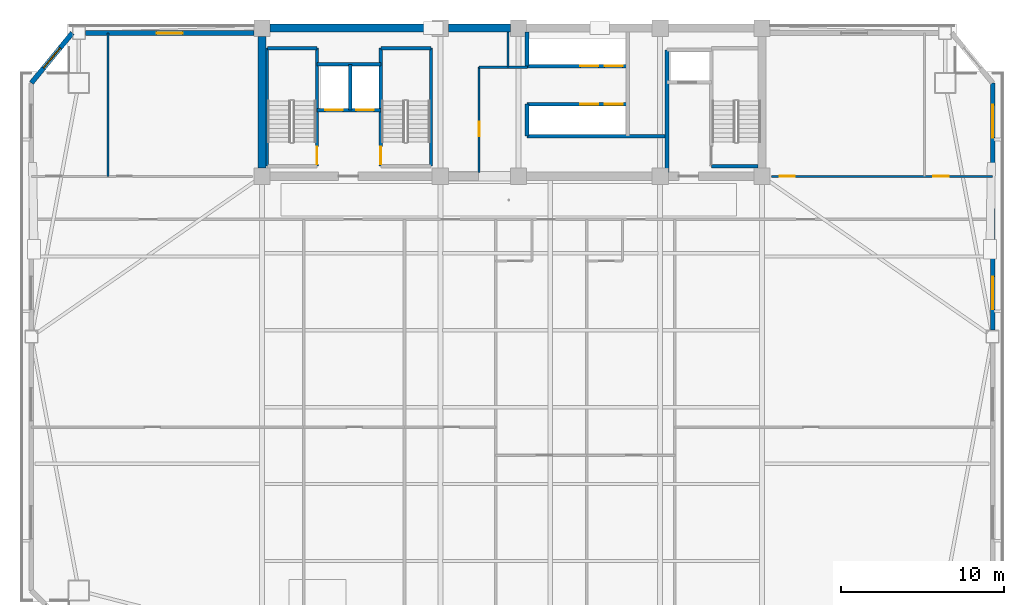
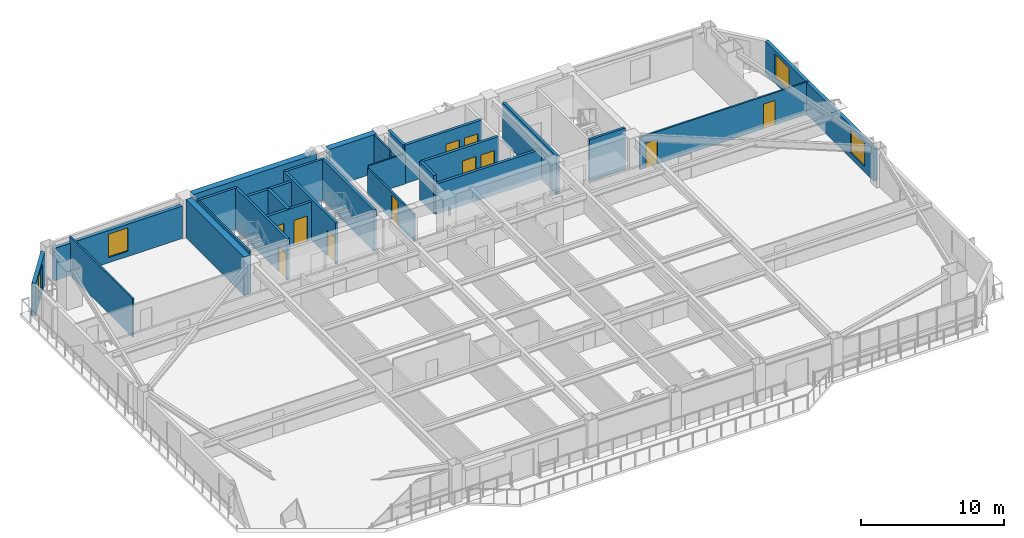
# One storey, part 9 of 16: 27 walls, 11 doors, 4 windows, 15 openings.
"""IFC4 building model written with IfcOpenShell, lengths in metres."""

import ifcopenshell
import ifcopenshell.guid

model = None  # the IFC model being written
_history = None  # IfcOwnerHistory: only IFC2X3 demands one
_inside = {}  # id of a spatial element -> (the spatial element, [elements in it])
_under = {}  # id of a project, library or spatial element -> (it, [spatial elements below it])
_declared = {}  # id of a project -> (the project, [libraries it declares])
_typed = {}  # id of a type object -> (the type object, [elements of that type])
_made_of = {}  # id of a material, layer set ... -> (it, [elements and type objects made of it])


def new_model(schema):
    """Start an empty IFC model of exactly this schema.

    Asked for "IFC4X3", IfcOpenShell would pick the latest addendum, in which some entities
    have other attributes; the version numbers below select the first issue.
    IFC2X3 requires an IfcOwnerHistory on every rooted entity: one is made here for all.
    """
    global model, _history
    if schema == "IFC4X3":
        model = ifcopenshell.file(schema_version=(4, 3, 0, 0))
    else:
        model = ifcopenshell.file(schema=schema)
    _inside.clear()
    _under.clear()
    _declared.clear()
    _typed.clear()
    _made_of.clear()
    _history = None
    if model.schema == "IFC2X3":
        org = make("IfcOrganization", Name="unknown")
        user = make(
            "IfcPersonAndOrganization",
            ThePerson=make("IfcPerson", FamilyName="unknown"),
            TheOrganization=org,
        )
        app = make(
            "IfcApplication",
            ApplicationDeveloper=org,
            Version="unknown",
            ApplicationFullName="unknown",
            ApplicationIdentifier="unknown",
        )
        _history = make(
            "IfcOwnerHistory",
            OwningUser=user,
            OwningApplication=app,
            ChangeAction="ADDED",
            CreationDate=0,
        )
    return model


def make(cls, **values):
    """One entity of the class cls with the attributes given. An attribute that is None is left unset."""
    return model.create_entity(
        cls, **{name: value for name, value in values.items() if value is not None}
    )


def rooted(cls, **values):
    """An entity with a GlobalId (a new one), such as an element, a storey or a relation."""
    return make(cls, GlobalId=ifcopenshell.guid.new(), OwnerHistory=_history, **values)


def si_unit(unit_type, name, prefix=None):
    """IfcSIUnit, for example si_unit("LENGTHUNIT", "METRE", prefix="MILLI")."""
    return make("IfcSIUnit", UnitType=unit_type, Prefix=prefix, Name=name)


def assignment(units):
    """IfcUnitAssignment: the units of a project."""
    return None if units is None else make("IfcUnitAssignment", Units=units)


def point(xyz):
    """IfcCartesianPoint."""
    return None if xyz is None else make("IfcCartesianPoint", Coordinates=xyz)


def direction(xyz):
    """IfcDirection."""
    return None if xyz is None else make("IfcDirection", DirectionRatios=xyz)


def frame(location, z_axis=None, x_axis=None):
    """IfcAxis2Placement3D, a coordinate frame: its origin and axes. An axis left out is left unset."""
    return make(
        "IfcAxis2Placement3D",
        Location=point(location),
        Axis=direction(z_axis),
        RefDirection=direction(x_axis),
    )


def frame_2d(location, x_axis=None):
    """IfcAxis2Placement2D, a coordinate frame in the plane: its origin and x axis."""
    return make(
        "IfcAxis2Placement2D", Location=point(location), RefDirection=direction(x_axis)
    )


def origin():
    """The frame at (0, 0, 0) with its axes left unset."""
    return frame((0.0, 0.0, 0.0))


def place(relative_to, where):
    """IfcLocalPlacement: puts the frame where relative to a parent placement (None: the world)."""
    return make(
        "IfcLocalPlacement", PlacementRelTo=relative_to, RelativePlacement=where
    )


def context(
    kind, dimensions, precision=None, world=None, true_north=None, identifier=None
):
    """IfcGeometricRepresentationContext, for example the 3D "Model" context."""
    return make(
        "IfcGeometricRepresentationContext",
        ContextIdentifier=identifier,
        ContextType=kind,
        CoordinateSpaceDimension=dimensions,
        Precision=precision,
        WorldCoordinateSystem=world,
        TrueNorth=true_north,
    )


def subcontext(parent, identifier, kind, view, scale=None):
    """IfcGeometricRepresentationSubContext, for example "Body" below "Model"."""
    return make(
        "IfcGeometricRepresentationSubContext",
        ContextIdentifier=identifier,
        ContextType=kind,
        ParentContext=parent,
        TargetScale=scale,
        TargetView=view,
    )


def project(units=None, contexts=None):
    """IfcProject with its units and contexts."""
    return rooted(
        "IfcProject",
        Name="project",
        RepresentationContexts=contexts,
        UnitsInContext=assignment(units),
    )


def spatial(cls, under=None, at=None, **own):
    """A site, building, storey or space (cls), placed at a placement, below another one or the project."""
    s = rooted(cls, ObjectPlacement=at, **own)
    if under is not None:
        _under.setdefault(under.id(), (under, []))[1].append(s)
    return s


def profile(cls, at=None, kind="AREA", **sizes):
    """A parametric profile (cls). Its sizes go by their IFC names, for example OverallWidth=200.0."""
    return make(cls, ProfileType=kind, Position=at, **sizes)


def rectangle(**sizes):
    """IfcRectangleProfileDef."""
    return profile("IfcRectangleProfileDef", **sizes)


def extrude(swept, where, along, depth):
    """IfcExtrudedAreaSolid: the profile swept, set in the frame where, extruded along a direction by depth."""
    return make(
        "IfcExtrudedAreaSolid",
        SweptArea=swept,
        Position=where,
        ExtrudedDirection=direction(along),
        Depth=depth,
    )


def shape(context_of_items, identifier, shape_type, items):
    """IfcShapeRepresentation: the items that make up one representation, for example the "Body"."""
    return make(
        "IfcShapeRepresentation",
        ContextOfItems=context_of_items,
        RepresentationIdentifier=identifier,
        RepresentationType=shape_type,
        Items=items,
    )


def source(mapping_origin, context_of_items, identifier, shape_type, items):
    """IfcRepresentationMap: a shape defined once, which mapped items show again and again."""
    return make(
        "IfcRepresentationMap",
        MappingOrigin=mapping_origin,
        MappedRepresentation=shape(context_of_items, identifier, shape_type, items),
    )


def transform(
    local_origin,
    x_axis=None,
    y_axis=None,
    z_axis=None,
    scale=None,
    scale2=None,
    scale3=None,
    uniform=True,
):
    """IfcCartesianTransformationOperator3D, or its non-uniform kind. x_axis, y_axis, z_axis: its Axis1, 2, 3."""
    if uniform:
        return make(
            "IfcCartesianTransformationOperator3D",
            Axis1=direction(x_axis),
            Axis2=direction(y_axis),
            LocalOrigin=point(local_origin),
            Scale=scale,
            Axis3=direction(z_axis),
        )
    return make(
        "IfcCartesianTransformationOperator3DnonUniform",
        Axis1=direction(x_axis),
        Axis2=direction(y_axis),
        LocalOrigin=point(local_origin),
        Scale=scale,
        Axis3=direction(z_axis),
        Scale2=scale2,
        Scale3=scale3,
    )


def mapped(mapping_source, mapping_target):
    """IfcMappedItem: shows the shape of a source again, moved by a transform."""
    return make(
        "IfcMappedItem", MappingSource=mapping_source, MappingTarget=mapping_target
    )


def material(Name=None, Category=None):
    """IfcMaterial."""
    return make("IfcMaterial", Name=Name, Category=Category)


def layer(
    of_material, thickness, ventilated=None, Name=None, Category=None, Priority=None
):
    """IfcMaterialLayer: one layer of a wall or slab, of a material (None: an air gap)."""
    return make(
        "IfcMaterialLayer",
        Material=of_material,
        LayerThickness=thickness,
        IsVentilated=ventilated,
        Name=Name,
        Category=Category,
        Priority=Priority,
    )


def layer_set(layers, Name=None):
    """IfcMaterialLayerSet."""
    return make("IfcMaterialLayerSet", MaterialLayers=layers, LayerSetName=Name)


def made_of(thing, what):
    """Note that an element or type object is made of a material, layer set ...; save() writes the relation."""
    if what is not None:
        _made_of.setdefault(what.id(), (what, []))[1].append(thing)
    return thing


def type_object(cls, material=None, **own):
    """A type object (cls), such as IfcWallType, which elements share."""
    return made_of(rooted(cls, **own), material)


def element(
    cls,
    number,
    at=None,
    inside=None,
    cuts=None,
    type_object=None,
    material=None,
    context=None,
    identifier="Body",
    shape_type=None,
    held_by="IfcProductDefinitionShape",
    body=None,
    shapes=None,
    **own,
):
    """One element of the class cls, such as IfcWall. Its Tag is "e" and its number.

    at: its placement. inside: the storey or other place that contains it. cuts: it is an
    opening in that element (IfcRelVoidsElement). A single representation is given by context,
    identifier, shape_type and body (its items); several are given by shapes. held_by: the class
    of the entity that holds the representations. save() writes the other relations.
    """
    e = rooted(cls, Tag="e%d" % number, ObjectPlacement=at, **own)
    if body is not None:
        shapes = [shape(context, identifier, shape_type, body)]
    if shapes is not None:
        e.Representation = make(held_by, Representations=shapes)
    if inside is not None:
        _inside.setdefault(inside.id(), (inside, []))[1].append(e)
    if cuts is not None:
        rooted(
            "IfcRelVoidsElement", RelatingBuildingElement=cuts, RelatedOpeningElement=e
        )
    if type_object is not None:
        _typed.setdefault(type_object.id(), (type_object, []))[1].append(e)
    return made_of(e, material)


def fill(opening, filler):
    """IfcRelFillsElement: the door or window that sits in an opening."""
    return rooted(
        "IfcRelFillsElement",
        RelatingOpeningElement=opening,
        RelatedBuildingElement=filler,
    )


def aggregate(whole, parts):
    """IfcRelAggregates: a whole, such as a stair, and the parts it consists of."""
    return rooted("IfcRelAggregates", RelatingObject=whole, RelatedObjects=parts)


def save(model, path):
    """Write the relations noted so far, then the file.

    IfcRelAggregates (storeys below a building ...), IfcRelContainedInSpatialStructure (elements
    in a storey), IfcRelDefinesByType, IfcRelAssociatesMaterial and IfcRelDeclares: one each for
    every whole, place, type object, material and project.
    """
    for whole, parts in _under.values():
        aggregate(whole, parts)
    for where, things in _inside.values():
        rooted(
            "IfcRelContainedInSpatialStructure",
            RelatedElements=things,
            RelatingStructure=where,
        )
    for kind, things in _typed.values():
        rooted("IfcRelDefinesByType", RelatedObjects=things, RelatingType=kind)
    for what, things in _made_of.values():
        rooted("IfcRelAssociatesMaterial", RelatedObjects=things, RelatingMaterial=what)
    for by, libraries in _declared.values():
        rooted("IfcRelDeclares", RelatingContext=by, RelatedDefinitions=libraries)
    model.write(path)


model = new_model("IFC4")

# Units and contexts
model_context = context("Model", 3, precision=1e-05, world=origin(), true_north=direction((0.0, 1.0)))
body_context = subcontext(model_context, "Body", "Model", "MODEL_VIEW")
ifc_project = project(units=[si_unit("LENGTHUNIT", "METRE"), si_unit("AREAUNIT", "SQUARE_METRE"), si_unit("VOLUMEUNIT", "CUBIC_METRE"), si_unit("PLANEANGLEUNIT", "RADIAN"), si_unit("MASSUNIT", "GRAM", prefix="KILO")], contexts=[model_context])

# Site, building, storey
site_placement = place(None, origin())
site = spatial("IfcSite", under=ifc_project, at=site_placement, CompositionType="ELEMENT")
building_placement = place(site_placement, origin())
building = spatial("IfcBuilding", under=site, at=building_placement, Name="Giltprow Tower", CompositionType="ELEMENT")
storey_placement = place(building_placement, frame((0.0, 0.0, 163.199951171875)))
storey = spatial("IfcBuildingStorey", under=building, at=storey_placement, Name="L40", CompositionType="ELEMENT", Elevation=163.199951171875)

# Wall, opening, window
ifc_material_1 = material(Name="Precast concrete C40", Category="concrete")
ifc_layer_1 = layer(ifc_material_1, 0.300048828125, Name="Precast concrete C40")
ifc_layer_set_1 = layer_set([ifc_layer_1], Name="Precast concrete C40")
wall_type_1 = type_object("IfcWallType", Name="EW-NOTCH-CHAMFER-300", PredefinedType="SOLIDWALL", material=ifc_layer_set_1)
wall_1_placement = place(storey_placement, frame((8.197021484375, 46.25, 0.0), z_axis=(0.0, 0.0, 1.0), x_axis=(-0.634274117039, -0.773108235925, 0.0)))
wall_1 = element("IfcWall", 1, at=wall_1_placement, inside=storey, type_object=wall_type_1, Name="L40 Corner Notch Wall NW", PredefinedType="SOLIDWALL", context=body_context, shape_type="SweptSolid", body=[
    extrude(rectangle(XDim=3.9619140625, YDim=0.300048828125, at=frame_2d((1.98095703125, 0.0))), origin(), (0.0, 0.0, 1.0), 2.75),
])
opening_1_placement = place(wall_1_placement, frame((1.180908203125, 0.0, 0.449951171875)))
opening_1 = element("IfcOpeningElement", 2, at=opening_1_placement, cuts=wall_1, Name="Opening WN17", PredefinedType="OPENING", context=body_context, shape_type="SweptSolid", body=[
    extrude(rectangle(XDim=1.60009765625, YDim=2.0, at=frame_2d((0.800048828125, 1.0))), frame((0.0, 0.159912109375, 0.0), z_axis=(0.0, -1.0, 0.0), x_axis=(1.0, 0.0, 0.0)), (0.0, 0.0, 1.0), 0.320068359375),
])
ifc_material_2 = material(Name="Insulated glass", Category="glass")
window_type_1 = type_object("IfcWindowType", Name="WN-COR-1600x2000", PartitioningType="SINGLE_PANEL", PredefinedType="WINDOW", material=ifc_material_2)
shared_shape_1 = source(origin(), body_context, "Body", "SweptSolid", [
    extrude(rectangle(XDim=1.60009765625, YDim=2.0, at=frame_2d((0.800048828125, 1.0))), frame((0.0, 0.030029296875, 0.0), z_axis=(0.0, -1.0, 0.0), x_axis=(1.0, 0.0, 0.0)), (0.0, 0.0, 1.0), 0.06005859375),
])
window_1_placement = place(opening_1_placement, origin())
window_1 = element("IfcWindow", 3, at=window_1_placement, inside=storey, type_object=window_type_1, Name="L40 Corner Notch Window NW", OverallHeight=2.0, OverallWidth=1.60009765625, PartitioningType="SINGLE_PANEL", PredefinedType="WINDOW", context=body_context, shape_type="MappedRepresentation", body=[
    mapped(shared_shape_1, transform((0.0, 0.0, 0.0), x_axis=(1.0, 0.0, 0.0), y_axis=(0.0, 1.0, 0.0), z_axis=(0.0, 0.0, 1.0), scale=1.0)),
])
fill(opening_1, window_1)

# Wall, openings, windows
ifc_layer_2 = layer(ifc_material_1, 0.280029296875, Name="Precast concrete C40")
ifc_layer_set_2 = layer_set([ifc_layer_2], Name="Precast concrete C40")
wall_type_2 = type_object("IfcWallType", Name="EW-TOW-BRONZE-280", PredefinedType="SOLIDWALL", material=ifc_layer_set_2)
wall_2_placement = place(storey_placement, frame((64.716064453125, 27.9990234375, 0.0), z_axis=(0.0, 0.0, 1.0), x_axis=(0.0, 1.0, 0.0)))
wall_2 = element("IfcWall", 4, at=wall_2_placement, inside=storey, type_object=wall_type_2, Name="L40 E Wing Masonry Wall 2", PredefinedType="SOLIDWALL", context=body_context, shape_type="SweptSolid", body=[
    extrude(rectangle(XDim=15.18798828125, YDim=0.280029296875, at=frame_2d((7.593994140625, 0.0))), origin(), (0.0, 0.0, 1.0), 2.75),
])
opening_2_placement = place(wall_2_placement, frame((1.285888671875, 0.0, 0.449951171875)))
opening_2 = element("IfcOpeningElement", 5, at=opening_2_placement, cuts=wall_2, Name="Opening WN21", PredefinedType="OPENING", context=body_context, shape_type="SweptSolid", body=[
    extrude(rectangle(XDim=2.0, YDim=2.0, at=frame_2d((1.0, 1.0))), frame((0.0, 0.14990234375, 0.0), z_axis=(0.0, -1.0, 0.0), x_axis=(1.0, 0.0, 0.0)), (0.0, 0.0, 1.0), 0.300048828125),
])
opening_3_placement = place(wall_2_placement, frame((11.833984375, 0.0, 0.449951171875)))
opening_3 = element("IfcOpeningElement", 6, at=opening_3_placement, cuts=wall_2, Name="Opening WN21", PredefinedType="OPENING", context=body_context, shape_type="SweptSolid", body=[
    extrude(rectangle(XDim=2.0, YDim=2.0, at=frame_2d((1.0, 1.0))), frame((0.0, 0.14990234375, 0.0), z_axis=(0.0, -1.0, 0.0), x_axis=(1.0, 0.0, 0.0)), (0.0, 0.0, 1.0), 0.300048828125),
])
window_type_2 = type_object("IfcWindowType", Name="WN-HTL-2000x2000", PartitioningType="DOUBLE_PANEL_VERTICAL", PredefinedType="WINDOW", material=ifc_material_2)
shared_shape_2 = source(origin(), body_context, "Body", "SweptSolid", [
    extrude(rectangle(XDim=2.0, YDim=2.0, at=frame_2d((1.0, 1.0))), frame((0.0, 0.030029296875, 0.0), z_axis=(0.0, -1.0, 0.0), x_axis=(1.0, 0.0, 0.0)), (0.0, 0.0, 1.0), 0.06005859375),
])
window_2_placement = place(opening_2_placement, origin())
window_2 = element("IfcWindow", 7, at=window_2_placement, inside=storey, type_object=window_type_2, Name="L40 E Wing Window 2-1", OverallHeight=2.0, OverallWidth=2.0, PartitioningType="SINGLE_PANEL", PredefinedType="WINDOW", context=body_context, shape_type="MappedRepresentation", body=[
    mapped(shared_shape_2, transform((0.0, 0.0, 0.0), x_axis=(1.0, 0.0, 0.0), y_axis=(0.0, 1.0, 0.0), z_axis=(0.0, 0.0, 1.0), scale=1.0)),
])
fill(opening_2, window_2)
window_3_placement = place(opening_3_placement, origin())
window_3 = element("IfcWindow", 8, at=window_3_placement, inside=storey, type_object=window_type_2, Name="L40 E Wing Window 2-2", OverallHeight=2.0, OverallWidth=2.0, PartitioningType="SINGLE_PANEL", PredefinedType="WINDOW", context=body_context, shape_type="MappedRepresentation", body=[
    mapped(shared_shape_2, transform((0.0, 0.0, 0.0), x_axis=(1.0, 0.0, 0.0), y_axis=(0.0, 1.0, 0.0), z_axis=(0.0, 0.0, 1.0), scale=1.0)),
])
fill(opening_3, window_3)

# Wall, opening, window
wall_3_placement = place(storey_placement, frame((8.9970703125, 46.25, 0.0), z_axis=(0.0, 0.0, 1.0), x_axis=(1.0, 0.0, 0.0)))
wall_3 = element("IfcWall", 9, at=wall_3_placement, inside=storey, type_object=wall_type_2, Name="L40 North-West Wing Wall", PredefinedType="SOLIDWALL", context=body_context, shape_type="SweptSolid", body=[
    extrude(rectangle(XDim=10.35302734375, YDim=0.280029296875, at=frame_2d((5.176513671875, 0.0))), origin(), (0.0, 0.0, 1.0), 2.75),
])
opening_4_placement = place(wall_3_placement, frame((4.376953125, 0.0, 0.449951171875)))
opening_4 = element("IfcOpeningElement", 10, at=opening_4_placement, cuts=wall_3, Name="Opening WN17", PredefinedType="OPENING", context=body_context, shape_type="SweptSolid", body=[
    extrude(rectangle(XDim=1.60009765625, YDim=2.0, at=frame_2d((0.800048828125, 1.0))), frame((0.0, 0.14990234375, 0.0), z_axis=(0.0, -1.0, 0.0), x_axis=(1.0, 0.0, 0.0)), (0.0, 0.0, 1.0), 0.300048828125),
])
window_4_placement = place(opening_4_placement, origin())
window_4 = element("IfcWindow", 11, at=window_4_placement, inside=storey, type_object=window_type_1, Name="L40 North-West Window", OverallHeight=2.0, OverallWidth=1.60009765625, PartitioningType="SINGLE_PANEL", PredefinedType="WINDOW", context=body_context, shape_type="MappedRepresentation", body=[
    mapped(shared_shape_1, transform((0.0, 0.0, 0.0), x_axis=(1.0, 0.0, 0.0), y_axis=(0.0, 1.0, 0.0), z_axis=(0.0, 0.0, 1.0), scale=1.0)),
])
fill(opening_4, window_4)

# Wall, openings, doors
ifc_material_3 = material(Name="Concrete C40", Category="concrete")
ifc_layer_3 = layer(ifc_material_3, 0.219970703125, Name="Concrete C40")
ifc_layer_set_3 = layer_set([ifc_layer_3], Name="Concrete C40")
wall_type_3 = type_object("IfcWallType", Name="IW-SHAFT-220", PredefinedType="SOLIDWALL", material=ifc_layer_set_3)
wall_4_placement = place(storey_placement, frame((23.219970703125, 41.52001953125, 0.0), z_axis=(0.0, 0.0, 1.0), x_axis=(1.0, 0.0, 0.0)))
wall_4 = element("IfcWall", 12, at=wall_4_placement, inside=storey, type_object=wall_type_3, Name="L40 FFL1 and Service Lift Front Wall", PredefinedType="SOLIDWALL", context=body_context, shape_type="SweptSolid", body=[
    extrude(rectangle(XDim=3.919921875, YDim=0.219970703125, at=frame_2d((1.9599609375, 0.0))), origin(), (0.0, 0.0, 1.0), 3.27001953125),
])
opening_5_placement = place(wall_4_placement, frame((0.5, 0.0, 0.0)))
opening_5 = element("IfcOpeningElement", 13, at=opening_5_placement, cuts=wall_4, Name="Opening LD-11", PredefinedType="OPENING", context=body_context, shape_type="SweptSolid", body=[
    extrude(rectangle(XDim=1.10009765625, YDim=2.199951171875, at=frame_2d((0.550048828125, 1.10009765625))), frame((0.0, 0.119873046875, 0.0), z_axis=(0.0, -1.0, 0.0), x_axis=(1.0, 0.0, 0.0)), (0.0, 0.0, 1.0), 0.239990234375),
])
opening_6_placement = place(wall_4_placement, frame((2.39990234375, 0.0, 0.0)))
opening_6 = element("IfcOpeningElement", 14, at=opening_6_placement, cuts=wall_4, Name="Opening LD-11", PredefinedType="OPENING", context=body_context, shape_type="SweptSolid", body=[
    extrude(rectangle(XDim=1.10009765625, YDim=2.199951171875, at=frame_2d((0.550048828125, 1.10009765625))), frame((0.0, 0.119873046875, 0.0), z_axis=(0.0, -1.0, 0.0), x_axis=(1.0, 0.0, 0.0)), (0.0, 0.0, 1.0), 0.239990234375),
])
ifc_material_4 = material(Name="Stainless steel", Category="steel")
door_type_1 = type_object("IfcDoorType", Name="DR-LIFT-LD1100", OperationType="SLIDING_TO_LEFT", PredefinedType="DOOR", material=ifc_material_4)
shared_shape_3 = source(origin(), body_context, "Body", "SweptSolid", [
    extrude(rectangle(XDim=1.10009765625, YDim=2.199951171875, at=frame_2d((0.550048828125, 1.10009765625))), frame((0.0, 0.02490234375, 0.0), z_axis=(0.0, -1.0, 0.0), x_axis=(1.0, 0.0, 0.0)), (0.0, 0.0, 1.0), 0.050048828125),
])
door_1_placement = place(opening_5_placement, origin())
door_1 = element("IfcDoor", 15, at=door_1_placement, inside=storey, type_object=door_type_1, Name="L40 FFL1 Landing Door", OperationType="SLIDING_TO_LEFT", OverallHeight=2.199951171875, OverallWidth=1.10009765625, PredefinedType="DOOR", context=body_context, shape_type="MappedRepresentation", body=[
    mapped(shared_shape_3, transform((0.0, 0.0, 0.0), x_axis=(1.0, 0.0, 0.0), y_axis=(0.0, 1.0, 0.0), z_axis=(0.0, 0.0, 1.0), scale=1.0)),
])
fill(opening_5, door_1)
door_2_placement = place(opening_6_placement, origin())
door_2 = element("IfcDoor", 16, at=door_2_placement, inside=storey, type_object=door_type_1, Name="L40 SVL1 Landing Door", OperationType="SLIDING_TO_LEFT", OverallHeight=2.199951171875, OverallWidth=1.10009765625, PredefinedType="DOOR", context=body_context, shape_type="MappedRepresentation", body=[
    mapped(shared_shape_3, transform((0.0, 0.0, 0.0), x_axis=(1.0, 0.0, 0.0), y_axis=(0.0, 1.0, 0.0), z_axis=(0.0, 0.0, 1.0), scale=1.0)),
])
fill(opening_6, door_2)

# Walls
wall_5_placement = place(storey_placement, frame((25.260009765625, 41.52001953125, 0.0), z_axis=(0.0, 0.0, 1.0), x_axis=(0.0, 1.0, 0.0)))
element("IfcWall", 17, at=wall_5_placement, inside=storey, type_object=wall_type_3, Name="L40 FFL1-SVL1 Shaft Divider", PredefinedType="SOLIDWALL", context=body_context, shape_type="SweptSolid", body=[
    extrude(rectangle(XDim=2.800048828125, YDim=0.219970703125, at=frame_2d((1.39990234375, 0.0))), origin(), (0.0, 0.0, 1.0), 3.27001953125),
])
wall_6_placement = place(storey_placement, frame((23.219970703125, 44.320068359375, 0.0), z_axis=(0.0, 0.0, 1.0), x_axis=(1.0, 0.0, 0.0)))
element("IfcWall", 18, at=wall_6_placement, inside=storey, type_object=wall_type_3, Name="L40 FFL1-SVL1 Back Shaft Wall", PredefinedType="SOLIDWALL", context=body_context, shape_type="SweptSolid", body=[
    extrude(rectangle(XDim=3.919921875, YDim=0.219970703125, at=frame_2d((1.9599609375, 0.0))), origin(), (0.0, 0.0, 1.0), 3.27001953125),
])
wall_7_placement = place(storey_placement, frame((44.719970703125, 37.679931640625, 0.0), z_axis=(0.0, 0.0, 1.0), x_axis=(0.0, 1.0, 0.0)))
element("IfcWall", 19, at=wall_7_placement, inside=storey, type_object=wall_type_3, Name="L40 East Firefighting Lobby West Wall", PredefinedType="SOLIDWALL", context=body_context, shape_type="SweptSolid", body=[
    extrude(rectangle(XDim=7.5400390625, YDim=0.219970703125, at=frame_2d((3.77001953125, 0.0))), origin(), (0.0, 0.0, 1.0), 3.27001953125),
])

# Wall, openings, doors
wall_8_placement = place(storey_placement, frame((36.1201171875, 44.219970703125, 0.0), z_axis=(0.0, 0.0, 1.0), x_axis=(1.0, 0.0, 0.0)))
wall_8 = element("IfcWall", 20, at=wall_8_placement, inside=storey, type_object=wall_type_3, Name="L40 Mid-Rise Lift Shaft Front Wall N", PredefinedType="SOLIDWALL", context=body_context, shape_type="SweptSolid", body=[
    extrude(rectangle(XDim=6.199951171875, YDim=0.219970703125, at=frame_2d((3.10009765625, 0.0))), origin(), (0.0, 0.0, 1.0), 3.27001953125),
])
opening_7_placement = place(wall_8_placement, frame((3.280029296875, 0.0, 0.0)))
opening_7 = element("IfcOpeningElement", 21, at=opening_7_placement, cuts=wall_8, Name="Opening LD-11", PredefinedType="OPENING", context=body_context, shape_type="SweptSolid", body=[
    extrude(rectangle(XDim=1.10009765625, YDim=2.199951171875, at=frame_2d((0.550048828125, 1.10009765625))), frame((0.0, 0.119873046875, 0.0), z_axis=(0.0, -1.0, 0.0), x_axis=(1.0, 0.0, 0.0)), (0.0, 0.0, 1.0), 0.239990234375),
])
opening_8_placement = place(wall_8_placement, frame((4.77001953125, 0.0, 0.0)))
opening_8 = element("IfcOpeningElement", 22, at=opening_8_placement, cuts=wall_8, Name="Opening LD-11", PredefinedType="OPENING", context=body_context, shape_type="SweptSolid", body=[
    extrude(rectangle(XDim=1.10009765625, YDim=2.199951171875, at=frame_2d((0.550048828125, 1.10009765625))), frame((0.0, 0.119873046875, 0.0), z_axis=(0.0, -1.0, 0.0), x_axis=(1.0, 0.0, 0.0)), (0.0, 0.0, 1.0), 0.239990234375),
])
door_3_placement = place(opening_7_placement, origin())
door_3 = element("IfcDoor", 23, at=door_3_placement, inside=storey, type_object=door_type_1, Name="L40 PL-M1 Landing Door", OperationType="SLIDING_TO_LEFT", OverallHeight=2.199951171875, OverallWidth=1.10009765625, PredefinedType="DOOR", context=body_context, shape_type="MappedRepresentation", body=[
    mapped(shared_shape_3, transform((0.0, 0.0, 0.0), x_axis=(1.0, 0.0, 0.0), y_axis=(0.0, 1.0, 0.0), z_axis=(0.0, 0.0, 1.0), scale=1.0)),
])
fill(opening_7, door_3)
door_4_placement = place(opening_8_placement, origin())
door_4 = element("IfcDoor", 24, at=door_4_placement, inside=storey, type_object=door_type_1, Name="L40 PL-M2 Landing Door", OperationType="SLIDING_TO_LEFT", OverallHeight=2.199951171875, OverallWidth=1.10009765625, PredefinedType="DOOR", context=body_context, shape_type="MappedRepresentation", body=[
    mapped(shared_shape_3, transform((0.0, 0.0, 0.0), x_axis=(1.0, 0.0, 0.0), y_axis=(0.0, 1.0, 0.0), z_axis=(0.0, 0.0, 1.0), scale=1.0)),
])
fill(opening_8, door_4)

wall_9_placement = place(storey_placement, frame((36.1201171875, 41.8798828125, 0.0), z_axis=(0.0, 0.0, 1.0), x_axis=(1.0, 0.0, 0.0)))
wall_9 = element("IfcWall", 25, at=wall_9_placement, inside=storey, type_object=wall_type_3, Name="L40 Mid-Rise Lift Shaft Front Wall S", PredefinedType="SOLIDWALL", context=body_context, shape_type="SweptSolid", body=[
    extrude(rectangle(XDim=6.199951171875, YDim=0.219970703125, at=frame_2d((3.10009765625, 0.0))), origin(), (0.0, 0.0, 1.0), 3.27001953125),
])
opening_9_placement = place(wall_9_placement, frame((3.280029296875, 0.0, 0.0)))
opening_9 = element("IfcOpeningElement", 26, at=opening_9_placement, cuts=wall_9, Name="Opening LD-11", PredefinedType="OPENING", context=body_context, shape_type="SweptSolid", body=[
    extrude(rectangle(XDim=1.10009765625, YDim=2.199951171875, at=frame_2d((0.550048828125, 1.10009765625))), frame((0.0, 0.119873046875, 0.0), z_axis=(0.0, -1.0, 0.0), x_axis=(1.0, 0.0, 0.0)), (0.0, 0.0, 1.0), 0.239990234375),
])
opening_10_placement = place(wall_9_placement, frame((4.77001953125, 0.0, 0.0)))
opening_10 = element("IfcOpeningElement", 27, at=opening_10_placement, cuts=wall_9, Name="Opening LD-11", PredefinedType="OPENING", context=body_context, shape_type="SweptSolid", body=[
    extrude(rectangle(XDim=1.10009765625, YDim=2.199951171875, at=frame_2d((0.550048828125, 1.10009765625))), frame((0.0, 0.119873046875, 0.0), z_axis=(0.0, -1.0, 0.0), x_axis=(1.0, 0.0, 0.0)), (0.0, 0.0, 1.0), 0.239990234375),
])
door_5_placement = place(opening_9_placement, origin())
door_5 = element("IfcDoor", 28, at=door_5_placement, inside=storey, type_object=door_type_1, Name="L40 PL-M3 Landing Door", OperationType="SLIDING_TO_LEFT", OverallHeight=2.199951171875, OverallWidth=1.10009765625, PredefinedType="DOOR", context=body_context, shape_type="MappedRepresentation", body=[
    mapped(shared_shape_3, transform((0.0, 0.0, 0.0), x_axis=(1.0, 0.0, 0.0), y_axis=(0.0, 1.0, 0.0), z_axis=(0.0, 0.0, 1.0), scale=1.0)),
])
fill(opening_9, door_5)
door_6_placement = place(opening_10_placement, origin())
door_6 = element("IfcDoor", 29, at=door_6_placement, inside=storey, type_object=door_type_1, Name="L40 PL-M4 Landing Door", OperationType="SLIDING_TO_LEFT", OverallHeight=2.199951171875, OverallWidth=1.10009765625, PredefinedType="DOOR", context=body_context, shape_type="MappedRepresentation", body=[
    mapped(shared_shape_3, transform((0.0, 0.0, 0.0), x_axis=(1.0, 0.0, 0.0), y_axis=(0.0, 1.0, 0.0), z_axis=(0.0, 0.0, 1.0), scale=1.0)),
])
fill(opening_10, door_6)

# Walls
wall_10_placement = place(storey_placement, frame((36.1201171875, 39.919921875, 0.0), z_axis=(0.0, 0.0, 1.0), x_axis=(1.0, 0.0, 0.0)))
element("IfcWall", 30, at=wall_10_placement, inside=storey, type_object=wall_type_3, Name="L40 Mid-Rise South Lift Back Wall", PredefinedType="SOLIDWALL", context=body_context, shape_type="SweptSolid", body=[
    extrude(rectangle(XDim=8.599853515625, YDim=0.219970703125, at=frame_2d((4.2998046875, 0.0))), origin(), (0.0, 0.0, 1.0), 2.554931640625),
])
wall_11_placement = place(storey_placement, frame((36.1201171875, 39.919921875, 0.0), z_axis=(0.0, 0.0, 1.0), x_axis=(0.0, 1.0, 0.0)))
element("IfcWall", 31, at=wall_11_placement, inside=storey, type_object=wall_type_3, Name="L40 Mid-Rise South Lift West Closure", PredefinedType="SOLIDWALL", context=body_context, shape_type="SweptSolid", body=[
    extrude(rectangle(XDim=1.9599609375, YDim=0.219970703125, at=frame_2d((0.97998046875, 0.0))), origin(), (0.0, 0.0, 1.0), 3.27001953125),
])
wall_12_placement = place(storey_placement, frame((36.1201171875, 44.219970703125, 0.0), z_axis=(0.0, 0.0, 1.0), x_axis=(0.0, 1.0, 0.0)))
element("IfcWall", 32, at=wall_12_placement, inside=storey, type_object=wall_type_3, Name="L40 Mid-Rise North Lift West Closure", PredefinedType="SOLIDWALL", context=body_context, shape_type="SweptSolid", body=[
    extrude(rectangle(XDim=2.10009765625, YDim=0.219970703125, at=frame_2d((1.050048828125, 0.0))), origin(), (0.0, 0.0, 1.0), 3.27001953125),
])
ifc_material_5 = material(Name="Concrete C45", Category="concrete")
ifc_layer_4 = layer(ifc_material_5, 0.139892578125, Name="Concrete C45")
ifc_layer_set_4 = layer_set([ifc_layer_4], Name="Concrete C45")
wall_type_4 = type_object("IfcWallType", Name="IW-STAIR-140", PredefinedType="SOLIDWALL", material=ifc_layer_set_4)
wall_13_placement = place(storey_placement, frame((20.169921875, 38.070068359375, 0.0), z_axis=(0.0, 0.0, 1.0), x_axis=(0.0, 1.0, 0.0)))
element("IfcWall", 33, at=wall_13_placement, inside=storey, type_object=wall_type_4, Name="L40 Stair ST-1 West Bearing Wall", PredefinedType="SOLIDWALL", context=body_context, shape_type="SweptSolid", body=[
    extrude(rectangle(XDim=7.25, YDim=0.139892578125, at=frame_2d((3.625, 0.0))), origin(), (0.0, 0.0, 1.0), 3.5),
])

# Wall, opening, door
ifc_layer_5 = layer(ifc_material_3, 0.199951171875, Name="Concrete C40")
ifc_layer_set_5 = layer_set([ifc_layer_5], Name="Concrete C40")
wall_type_5 = type_object("IfcWallType", Name="IW-STAIR-200", PredefinedType="SOLIDWALL", material=ifc_layer_set_5)
wall_14_placement = place(storey_placement, frame((23.219970703125, 38.070068359375, 0.0), z_axis=(0.0, 0.0, 1.0), x_axis=(0.0, 1.0, 0.0)))
wall_14 = element("IfcWall", 34, at=wall_14_placement, inside=storey, type_object=wall_type_5, Name="L40 Stair ST-1 East Bearing Wall", PredefinedType="SOLIDWALL", context=body_context, shape_type="SweptSolid", body=[
    extrude(rectangle(XDim=7.25, YDim=0.199951171875, at=frame_2d((3.625, 0.0))), origin(), (0.0, 0.0, 1.0), 3.5),
])
opening_11_placement = place(wall_14_placement, frame((0.110107421875, 0.0, 0.0)))
opening_11 = element("IfcOpeningElement", 35, at=opening_11_placement, cuts=wall_14, Name="Opening ID33", PredefinedType="OPENING", context=body_context, shape_type="SweptSolid", body=[
    extrude(rectangle(XDim=1.10009765625, YDim=2.14990234375, at=frame_2d((0.550048828125, 1.074951171875))), frame((0.0, 0.10986328125, 0.0), z_axis=(0.0, -1.0, 0.0), x_axis=(1.0, 0.0, 0.0)), (0.0, 0.0, 1.0), 0.219970703125),
])
ifc_material_6 = material(Name="Steel fire leaf", Category="steel")
door_type_2 = type_object("IfcDoorType", Name="DR-STAIR-1100", OperationType="SINGLE_SWING_LEFT", PredefinedType="DOOR", material=ifc_material_6)
shared_shape_4 = source(origin(), body_context, "Body", "SweptSolid", [
    extrude(rectangle(XDim=1.10009765625, YDim=2.14990234375, at=frame_2d((0.550048828125, 1.074951171875))), frame((0.0, 0.02490234375, 0.0), z_axis=(0.0, -1.0, 0.0), x_axis=(1.0, 0.0, 0.0)), (0.0, 0.0, 1.0), 0.050048828125),
])
door_7_placement = place(opening_11_placement, origin())
door_7 = element("IfcDoor", 36, at=door_7_placement, inside=storey, type_object=door_type_2, Name="L40 Stair ST-1 Fire Door", OperationType="SINGLE_SWING_RIGHT", OverallHeight=2.14990234375, OverallWidth=1.10009765625, PredefinedType="DOOR", context=body_context, shape_type="MappedRepresentation", body=[
    mapped(shared_shape_4, transform((0.0, 0.0, 0.0), x_axis=(1.0, 0.0, 0.0), y_axis=(0.0, 1.0, 0.0), z_axis=(0.0, 0.0, 1.0), scale=1.0)),
])
fill(opening_11, door_7)

# Wall
wall_15_placement = place(storey_placement, frame((20.169921875, 45.320068359375, 0.0), z_axis=(0.0, 0.0, 1.0), x_axis=(1.0, 0.0, 0.0)))
element("IfcWall", 37, at=wall_15_placement, inside=storey, type_object=wall_type_5, Name="L40 Stair ST-1 North Bearing Wall", PredefinedType="SOLIDWALL", context=body_context, shape_type="SweptSolid", body=[
    extrude(rectangle(XDim=3.050048828125, YDim=0.199951171875, at=frame_2d((1.52490234375, 0.0))), origin(), (0.0, 0.0, 1.0), 3.5),
])

# Wall, opening, door
wall_16_placement = place(storey_placement, frame((27.139892578125, 38.070068359375, 0.0), z_axis=(0.0, 0.0, 1.0), x_axis=(0.0, 1.0, 0.0)))
wall_16 = element("IfcWall", 38, at=wall_16_placement, inside=storey, type_object=wall_type_5, Name="L40 Stair ST-2 West Bearing Wall", PredefinedType="SOLIDWALL", context=body_context, shape_type="SweptSolid", body=[
    extrude(rectangle(XDim=7.25, YDim=0.199951171875, at=frame_2d((3.625, 0.0))), origin(), (0.0, 0.0, 1.0), 3.5),
])
opening_12_placement = place(wall_16_placement, frame((0.110107421875, 0.0, 0.0)))
opening_12 = element("IfcOpeningElement", 39, at=opening_12_placement, cuts=wall_16, Name="Opening ID33", PredefinedType="OPENING", context=body_context, shape_type="SweptSolid", body=[
    extrude(rectangle(XDim=1.10009765625, YDim=2.14990234375, at=frame_2d((0.550048828125, 1.074951171875))), frame((0.0, 0.10986328125, 0.0), z_axis=(0.0, -1.0, 0.0), x_axis=(1.0, 0.0, 0.0)), (0.0, 0.0, 1.0), 0.219970703125),
])
door_8_placement = place(opening_12_placement, origin())
door_8 = element("IfcDoor", 40, at=door_8_placement, inside=storey, type_object=door_type_2, Name="L40 Stair ST-2 Fire Door", OperationType="SINGLE_SWING_LEFT", OverallHeight=2.14990234375, OverallWidth=1.10009765625, PredefinedType="DOOR", context=body_context, shape_type="MappedRepresentation", body=[
    mapped(shared_shape_4, transform((0.0, 0.0, 0.0), x_axis=(1.0, 0.0, 0.0), y_axis=(0.0, 1.0, 0.0), z_axis=(0.0, 0.0, 1.0), scale=1.0)),
])
fill(opening_12, door_8)

# Walls
wall_17_placement = place(storey_placement, frame((30.219970703125, 38.070068359375, 0.0), z_axis=(0.0, 0.0, 1.0), x_axis=(0.0, 1.0, 0.0)))
element("IfcWall", 41, at=wall_17_placement, inside=storey, type_object=wall_type_5, Name="L40 Stair ST-2 East Bearing Wall", PredefinedType="SOLIDWALL", context=body_context, shape_type="SweptSolid", body=[
    extrude(rectangle(XDim=7.25, YDim=0.199951171875, at=frame_2d((3.625, 0.0))), origin(), (0.0, 0.0, 1.0), 3.5),
])
wall_18_placement = place(storey_placement, frame((27.139892578125, 45.320068359375, 0.0), z_axis=(0.0, 0.0, 1.0), x_axis=(1.0, 0.0, 0.0)))
element("IfcWall", 42, at=wall_18_placement, inside=storey, type_object=wall_type_5, Name="L40 Stair ST-2 North Bearing Wall", PredefinedType="SOLIDWALL", context=body_context, shape_type="SweptSolid", body=[
    extrude(rectangle(XDim=3.080078125, YDim=0.199951171875, at=frame_2d((1.5400390625, 0.0))), origin(), (0.0, 0.0, 1.0), 3.5),
])
wall_19_placement = place(storey_placement, frame((47.43994140625, 38.070068359375, 0.0), z_axis=(0.0, 0.0, 1.0), x_axis=(1.0, 0.0, 0.0)))
element("IfcWall", 43, at=wall_19_placement, inside=storey, type_object=wall_type_5, Name="L40 Stair ST-3 South Bearing Wall", PredefinedType="SOLIDWALL", context=body_context, shape_type="SweptSolid", body=[
    extrude(rectangle(XDim=2.880126953125, YDim=0.199951171875, at=frame_2d((1.43994140625, 0.0))), origin(), (0.0, 0.0, 1.0), 3.5),
])

# Wall, opening, door
ifc_material_7 = material(Name="Concrete C30", Category="concrete")
ifc_layer_6 = layer(ifc_material_7, 0.1298828125, Name="Concrete C30")
ifc_layer_set_6 = layer_set([ifc_layer_6], Name="Concrete C30")
wall_type_6 = type_object("IfcWallType", Name="IW-WET-130", PredefinedType="PARTITIONING", material=ifc_layer_set_6)
wall_20_placement = place(storey_placement, frame((33.179931640625, 37.679931640625, 0.0), z_axis=(0.0, 0.0, 1.0), x_axis=(0.0, 1.0, 0.0)))
wall_20 = element("IfcWall", 44, at=wall_20_placement, inside=storey, type_object=wall_type_6, Name="L40 Reclaimed Core Room East Wall", PredefinedType="PARTITIONING", context=body_context, shape_type="SweptSolid", body=[
    extrude(rectangle(XDim=6.469970703125, YDim=0.1298828125, at=frame_2d((3.23486328125, 0.0))), origin(), (0.0, 0.0, 1.0), 2.35498046875),
])
opening_13_placement = place(wall_20_placement, frame((2.219970703125, 0.0, 0.0)))
opening_13 = element("IfcOpeningElement", 45, at=opening_13_placement, cuts=wall_20, Name="Opening ID35", PredefinedType="OPENING", context=body_context, shape_type="SweptSolid", body=[
    extrude(rectangle(XDim=0.89990234375, YDim=2.10009765625, at=frame_2d((0.449951171875, 1.050048828125))), frame((0.0, 0.074951171875, 0.0), z_axis=(0.0, -1.0, 0.0), x_axis=(1.0, 0.0, 0.0)), (0.0, 0.0, 1.0), 0.14990234375),
])
door_type_3 = type_object("IfcDoorType", Name="DR-SHAFT-900", OperationType="SINGLE_SWING_LEFT", PredefinedType="DOOR", material=ifc_material_6)
shared_shape_5 = source(origin(), body_context, "Body", "SweptSolid", [
    extrude(rectangle(XDim=0.89990234375, YDim=2.10009765625, at=frame_2d((0.449951171875, 1.050048828125))), frame((0.0, 0.02490234375, 0.0), z_axis=(0.0, -1.0, 0.0), x_axis=(1.0, 0.0, 0.0)), (0.0, 0.0, 1.0), 0.050048828125),
])
door_9_placement = place(opening_13_placement, origin())
door_9 = element("IfcDoor", 46, at=door_9_placement, inside=storey, type_object=door_type_3, Name="L40 Housekeeping and Linen Room Door", OperationType="SINGLE_SWING_LEFT", OverallHeight=2.10009765625, OverallWidth=0.89990234375, PredefinedType="DOOR", context=body_context, shape_type="MappedRepresentation", body=[
    mapped(shared_shape_5, transform((0.0, 0.0, 0.0), x_axis=(1.0, 0.0, 0.0), y_axis=(0.0, 1.0, 0.0), z_axis=(0.0, 0.0, 1.0), scale=1.0)),
])
fill(opening_13, door_9)

# Walls
wall_21_placement = place(storey_placement, frame((34.949951171875, 44.14990234375, 0.0), z_axis=(0.0, 0.0, 1.0), x_axis=(0.0, 1.0, 0.0)))
element("IfcWall", 47, at=wall_21_placement, inside=storey, type_object=wall_type_6, Name="L40 Reclaimed North Pocket East Wall", PredefinedType="PARTITIONING", context=body_context, shape_type="SweptSolid", body=[
    extrude(rectangle(XDim=2.170166015625, YDim=0.1298828125, at=frame_2d((1.0849609375, 0.0))), origin(), (0.0, 0.0, 1.0), 3.27001953125),
])
wall_22_placement = place(storey_placement, frame((33.179931640625, 44.14990234375, 0.0), z_axis=(0.0, 0.0, 1.0), x_axis=(1.0, 0.0, 0.0)))
element("IfcWall", 48, at=wall_22_placement, inside=storey, type_object=wall_type_6, Name="L40 Reclaimed North Pocket South Wall", PredefinedType="PARTITIONING", context=body_context, shape_type="SweptSolid", body=[
    extrude(rectangle(XDim=2.969970703125, YDim=0.1298828125, at=frame_2d((1.48486328125, 0.0))), origin(), (0.0, 0.0, 1.0), 2.554931640625),
])
wall_23_placement = place(storey_placement, frame((10.39404296875, 37.449951171875, 0.0), z_axis=(0.0, 0.0, 1.0), x_axis=(0.0, 1.0, 0.0)))
element("IfcWall", 49, at=wall_23_placement, inside=storey, type_object=wall_type_6, Name="L40 NW Wing Divider", PredefinedType="PARTITIONING", context=body_context, shape_type="SweptSolid", body=[
    extrude(rectangle(XDim=8.800048828125, YDim=0.1298828125, at=frame_2d((4.39990234375, 0.0))), origin(), (0.0, 0.0, 1.0), 3.27001953125),
])

# Wall, openings, doors
wall_24_placement = place(storey_placement, frame((51.14990234375, 37.449951171875, 0.0), z_axis=(0.0, 0.0, 1.0), x_axis=(1.0, 0.0, 0.0)))
wall_24 = element("IfcWall", 50, at=wall_24_placement, inside=storey, type_object=wall_type_6, Name="L40 NE Wing South Wall", PredefinedType="PARTITIONING", context=body_context, shape_type="SweptSolid", body=[
    extrude(rectangle(XDim=13.566162109375, YDim=0.1298828125, at=frame_2d((6.783203125, 0.0))), origin(), (0.0, 0.0, 1.0), 2.755126953125),
])
opening_14_placement = place(wall_24_placement, frame((0.5, 0.0, 0.0)))
opening_14 = element("IfcOpeningElement", 51, at=opening_14_placement, cuts=wall_24, Name="Opening ID15", PredefinedType="OPENING", context=body_context, shape_type="SweptSolid", body=[
    extrude(rectangle(XDim=0.89990234375, YDim=2.10009765625, at=frame_2d((0.449951171875, 1.050048828125))), frame((0.0, 0.074951171875, 0.0), z_axis=(0.0, -1.0, 0.0), x_axis=(1.0, 0.0, 0.0)), (0.0, 0.0, 1.0), 0.14990234375),
])
opening_15_placement = place(wall_24_placement, frame((9.93603515625, 0.0, 0.0)))
opening_15 = element("IfcOpeningElement", 52, at=opening_15_placement, cuts=wall_24, Name="Opening ID11", PredefinedType="OPENING", context=body_context, shape_type="SweptSolid", body=[
    extrude(rectangle(XDim=0.949951171875, YDim=2.10009765625, at=frame_2d((0.47509765625, 1.050048828125))), frame((0.0, 0.074951171875, 0.0), z_axis=(0.0, -1.0, 0.0), x_axis=(1.0, 0.0, 0.0)), (0.0, 0.0, 1.0), 0.14990234375),
])
ifc_material_8 = material(Name="Engineered timber", Category="wood")
door_type_4 = type_object("IfcDoorType", Name="DR-WC-900", OperationType="SINGLE_SWING_LEFT", PredefinedType="DOOR", material=ifc_material_8)
door_10_placement = place(opening_14_placement, origin())
door_10 = element("IfcDoor", 53, at=door_10_placement, inside=storey, type_object=door_type_4, Name="L40 East Wing Washroom Door", OperationType="SINGLE_SWING_RIGHT", OverallHeight=2.10009765625, OverallWidth=0.89990234375, PredefinedType="DOOR", context=body_context, shape_type="MappedRepresentation", body=[
    mapped(shared_shape_5, transform((0.0, 0.0, 0.0), x_axis=(1.0, 0.0, 0.0), y_axis=(0.0, 1.0, 0.0), z_axis=(0.0, 0.0, 1.0), scale=1.0)),
])
fill(opening_14, door_10)
door_type_5 = type_object("IfcDoorType", Name="DR-ROOM-950", OperationType="SINGLE_SWING_RIGHT", PredefinedType="DOOR", material=ifc_material_8)
shared_shape_6 = source(origin(), body_context, "Body", "SweptSolid", [
    extrude(rectangle(XDim=0.949951171875, YDim=2.10009765625, at=frame_2d((0.47509765625, 1.050048828125))), frame((0.0, 0.02490234375, 0.0), z_axis=(0.0, -1.0, 0.0), x_axis=(1.0, 0.0, 0.0)), (0.0, 0.0, 1.0), 0.050048828125),
])
door_11_placement = place(opening_15_placement, origin())
door_11 = element("IfcDoor", 54, at=door_11_placement, inside=storey, type_object=door_type_5, Name="L40 Hotel Floor Linen Store Door", OperationType="SINGLE_SWING_LEFT", OverallHeight=2.10009765625, OverallWidth=0.949951171875, PredefinedType="DOOR", context=body_context, shape_type="MappedRepresentation", body=[
    mapped(shared_shape_6, transform((0.0, 0.0, 0.0), x_axis=(1.0, 0.0, 0.0), y_axis=(0.0, 1.0, 0.0), z_axis=(0.0, 0.0, 1.0), scale=1.0)),
])
fill(opening_15, door_11)

# Walls
ifc_material_9 = material(Name="Concrete C50", Category="concrete")
ifc_layer_7 = layer(ifc_material_9, 0.5, Name="Concrete C50")
ifc_layer_set_7 = layer_set([ifc_layer_7], Name="Concrete C50")
wall_type_7 = type_object("IfcWallType", Name="SW-EXT-500-C50", PredefinedType="SHEAR", material=ifc_layer_set_7)
wall_25_placement = place(storey_placement, frame((20.35009765625, 46.550048828125, 0.0), z_axis=(0.0, 0.0, 1.0), x_axis=(1.0, 0.0, 0.0)))
element("IfcWall", 55, at=wall_25_placement, inside=storey, type_object=wall_type_7, Name="L40 North Rear Core Shear Wall 1", PredefinedType="SHEAR", context=body_context, shape_type="SweptSolid", body=[
    extrude(rectangle(XDim=9.949951171875, YDim=0.5, at=frame_2d((4.97509765625, 0.0))), origin(), (0.0, 0.0, 1.0), 3.27001953125),
])
wall_26_placement = place(storey_placement, frame((31.300048828125, 46.550048828125, 0.0), z_axis=(0.0, 0.0, 1.0), x_axis=(1.0, 0.0, 0.0)))
element("IfcWall", 56, at=wall_26_placement, inside=storey, type_object=wall_type_7, Name="L40 North Rear Core Shear Wall 2", PredefinedType="SHEAR", context=body_context, shape_type="SweptSolid", body=[
    extrude(rectangle(XDim=3.800048828125, YDim=0.5, at=frame_2d((1.89990234375, 0.0))), origin(), (0.0, 0.0, 1.0), 3.27001953125),
])
ifc_layer_8 = layer(ifc_material_9, 0.5, Name="Concrete C50")
ifc_layer_set_8 = layer_set([ifc_layer_8], Name="Concrete C50")
wall_type_8 = type_object("IfcWallType", Name="SW-INT-500-C50", PredefinedType="SHEAR", material=ifc_layer_set_8)
wall_27_placement = place(storey_placement, frame((19.85009765625, 37.949951171875, 0.0), z_axis=(0.0, 0.0, 1.0), x_axis=(0.0, 1.0, 0.0)))
element("IfcWall", 57, at=wall_27_placement, inside=storey, type_object=wall_type_8, Name="L40 W Rear Core Shear Wall", PredefinedType="SHEAR", context=body_context, shape_type="SweptSolid", body=[
    extrude(rectangle(XDim=8.10009765625, YDim=0.5, at=frame_2d((4.050048828125, 0.0))), origin(), (0.0, 0.0, 1.0), 3.27001953125),
])

save(model, "model.ifc")
